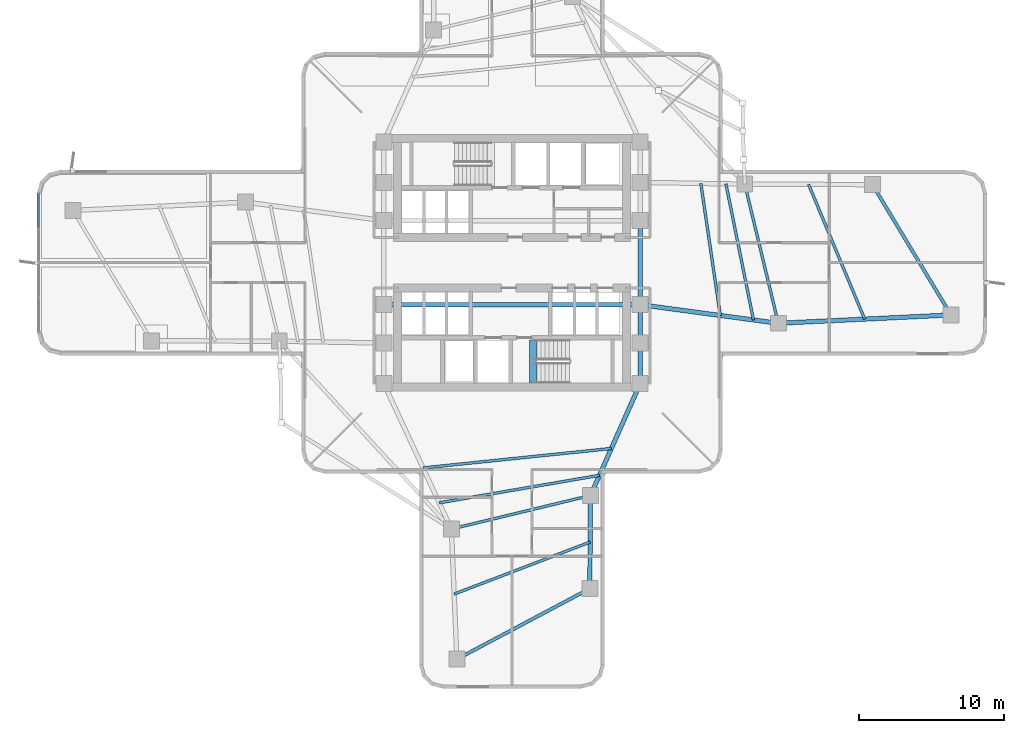
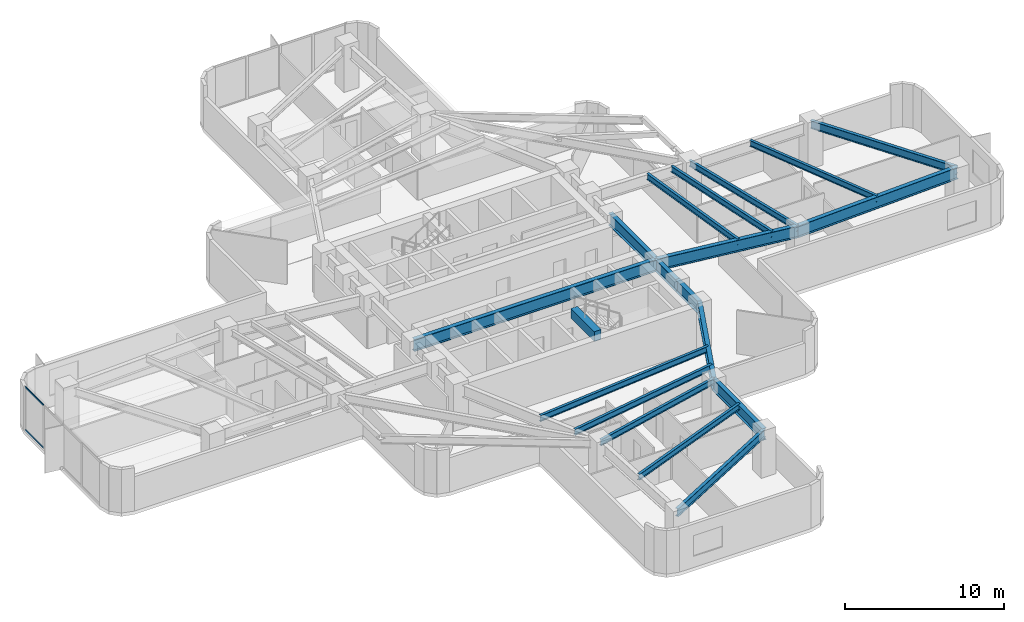
# One storey, part 3 of 14: 19 beams, 2 members, 1 element without a shape of its own.
"""IFC4 building model written with IfcOpenShell, lengths in metres."""

import ifcopenshell
import ifcopenshell.guid

model = None  # the IFC model being written
_history = None  # IfcOwnerHistory: only IFC2X3 demands one
_inside = {}  # id of a spatial element -> (the spatial element, [elements in it])
_under = {}  # id of a project, library or spatial element -> (it, [spatial elements below it])
_declared = {}  # id of a project -> (the project, [libraries it declares])
_typed = {}  # id of a type object -> (the type object, [elements of that type])
_made_of = {}  # id of a material, layer set ... -> (it, [elements and type objects made of it])


def new_model(schema):
    """Start an empty IFC model of exactly this schema.

    Asked for "IFC4X3", IfcOpenShell would pick the latest addendum, in which some entities
    have other attributes; the version numbers below select the first issue.
    IFC2X3 requires an IfcOwnerHistory on every rooted entity: one is made here for all.
    """
    global model, _history
    if schema == "IFC4X3":
        model = ifcopenshell.file(schema_version=(4, 3, 0, 0))
    else:
        model = ifcopenshell.file(schema=schema)
    _inside.clear()
    _under.clear()
    _declared.clear()
    _typed.clear()
    _made_of.clear()
    _history = None
    if model.schema == "IFC2X3":
        org = make("IfcOrganization", Name="unknown")
        user = make(
            "IfcPersonAndOrganization",
            ThePerson=make("IfcPerson", FamilyName="unknown"),
            TheOrganization=org,
        )
        app = make(
            "IfcApplication",
            ApplicationDeveloper=org,
            Version="unknown",
            ApplicationFullName="unknown",
            ApplicationIdentifier="unknown",
        )
        _history = make(
            "IfcOwnerHistory",
            OwningUser=user,
            OwningApplication=app,
            ChangeAction="ADDED",
            CreationDate=0,
        )
    return model


def make(cls, **values):
    """One entity of the class cls with the attributes given. An attribute that is None is left unset."""
    return model.create_entity(
        cls, **{name: value for name, value in values.items() if value is not None}
    )


def rooted(cls, **values):
    """An entity with a GlobalId (a new one), such as an element, a storey or a relation."""
    return make(cls, GlobalId=ifcopenshell.guid.new(), OwnerHistory=_history, **values)


def si_unit(unit_type, name, prefix=None):
    """IfcSIUnit, for example si_unit("LENGTHUNIT", "METRE", prefix="MILLI")."""
    return make("IfcSIUnit", UnitType=unit_type, Prefix=prefix, Name=name)


def assignment(units):
    """IfcUnitAssignment: the units of a project."""
    return None if units is None else make("IfcUnitAssignment", Units=units)


def point(xyz):
    """IfcCartesianPoint."""
    return None if xyz is None else make("IfcCartesianPoint", Coordinates=xyz)


def direction(xyz):
    """IfcDirection."""
    return None if xyz is None else make("IfcDirection", DirectionRatios=xyz)


def frame(location, z_axis=None, x_axis=None):
    """IfcAxis2Placement3D, a coordinate frame: its origin and axes. An axis left out is left unset."""
    return make(
        "IfcAxis2Placement3D",
        Location=point(location),
        Axis=direction(z_axis),
        RefDirection=direction(x_axis),
    )


def frame_2d(location, x_axis=None):
    """IfcAxis2Placement2D, a coordinate frame in the plane: its origin and x axis."""
    return make(
        "IfcAxis2Placement2D", Location=point(location), RefDirection=direction(x_axis)
    )


def origin():
    """The frame at (0, 0, 0) with its axes left unset."""
    return frame((0.0, 0.0, 0.0))


def origin_2d():
    """The frame at (0, 0) in the plane with its x axis left unset."""
    return frame_2d((0.0, 0.0))


def place(relative_to, where):
    """IfcLocalPlacement: puts the frame where relative to a parent placement (None: the world)."""
    return make(
        "IfcLocalPlacement", PlacementRelTo=relative_to, RelativePlacement=where
    )


def context(
    kind, dimensions, precision=None, world=None, true_north=None, identifier=None
):
    """IfcGeometricRepresentationContext, for example the 3D "Model" context."""
    return make(
        "IfcGeometricRepresentationContext",
        ContextIdentifier=identifier,
        ContextType=kind,
        CoordinateSpaceDimension=dimensions,
        Precision=precision,
        WorldCoordinateSystem=world,
        TrueNorth=true_north,
    )


def subcontext(parent, identifier, kind, view, scale=None):
    """IfcGeometricRepresentationSubContext, for example "Body" below "Model"."""
    return make(
        "IfcGeometricRepresentationSubContext",
        ContextIdentifier=identifier,
        ContextType=kind,
        ParentContext=parent,
        TargetScale=scale,
        TargetView=view,
    )


def project(units=None, contexts=None):
    """IfcProject with its units and contexts."""
    return rooted(
        "IfcProject",
        Name="project",
        RepresentationContexts=contexts,
        UnitsInContext=assignment(units),
    )


def spatial(cls, under=None, at=None, **own):
    """A site, building, storey or space (cls), placed at a placement, below another one or the project."""
    s = rooted(cls, ObjectPlacement=at, **own)
    if under is not None:
        _under.setdefault(under.id(), (under, []))[1].append(s)
    return s


def profile(cls, at=None, kind="AREA", **sizes):
    """A parametric profile (cls). Its sizes go by their IFC names, for example OverallWidth=200.0."""
    return make(cls, ProfileType=kind, Position=at, **sizes)


def rectangle(**sizes):
    """IfcRectangleProfileDef."""
    return profile("IfcRectangleProfileDef", **sizes)


def i_section(**sizes):
    """IfcIShapeProfileDef."""
    return profile("IfcIShapeProfileDef", **sizes)


def extrude(swept, where, along, depth):
    """IfcExtrudedAreaSolid: the profile swept, set in the frame where, extruded along a direction by depth."""
    return make(
        "IfcExtrudedAreaSolid",
        SweptArea=swept,
        Position=where,
        ExtrudedDirection=direction(along),
        Depth=depth,
    )


def shape(context_of_items, identifier, shape_type, items):
    """IfcShapeRepresentation: the items that make up one representation, for example the "Body"."""
    return make(
        "IfcShapeRepresentation",
        ContextOfItems=context_of_items,
        RepresentationIdentifier=identifier,
        RepresentationType=shape_type,
        Items=items,
    )


def material(Name=None, Category=None):
    """IfcMaterial."""
    return make("IfcMaterial", Name=Name, Category=Category)


def layer(
    of_material, thickness, ventilated=None, Name=None, Category=None, Priority=None
):
    """IfcMaterialLayer: one layer of a wall or slab, of a material (None: an air gap)."""
    return make(
        "IfcMaterialLayer",
        Material=of_material,
        LayerThickness=thickness,
        IsVentilated=ventilated,
        Name=Name,
        Category=Category,
        Priority=Priority,
    )


def layer_set(layers, Name=None):
    """IfcMaterialLayerSet."""
    return make("IfcMaterialLayerSet", MaterialLayers=layers, LayerSetName=Name)


def material_profile(
    of_material, cross_section, Name=None, Category=None, Priority=None
):
    """IfcMaterialProfile: a cross section and its material."""
    return make(
        "IfcMaterialProfile",
        Name=Name,
        Material=of_material,
        Profile=cross_section,
        Priority=Priority,
        Category=Category,
    )


def profile_set(profiles, Name=None, composite=None):
    """IfcMaterialProfileSet."""
    return make(
        "IfcMaterialProfileSet",
        Name=Name,
        MaterialProfiles=profiles,
        CompositeProfile=composite,
    )


def made_of(thing, what):
    """Note that an element or type object is made of a material, layer set ...; save() writes the relation."""
    if what is not None:
        _made_of.setdefault(what.id(), (what, []))[1].append(thing)
    return thing


def type_object(cls, material=None, **own):
    """A type object (cls), such as IfcWallType, which elements share."""
    return made_of(rooted(cls, **own), material)


def element(
    cls,
    number,
    at=None,
    inside=None,
    cuts=None,
    type_object=None,
    material=None,
    context=None,
    identifier="Body",
    shape_type=None,
    held_by="IfcProductDefinitionShape",
    body=None,
    shapes=None,
    **own,
):
    """One element of the class cls, such as IfcWall. Its Tag is "e" and its number.

    at: its placement. inside: the storey or other place that contains it. cuts: it is an
    opening in that element (IfcRelVoidsElement). A single representation is given by context,
    identifier, shape_type and body (its items); several are given by shapes. held_by: the class
    of the entity that holds the representations. save() writes the other relations.
    """
    e = rooted(cls, Tag="e%d" % number, ObjectPlacement=at, **own)
    if body is not None:
        shapes = [shape(context, identifier, shape_type, body)]
    if shapes is not None:
        e.Representation = make(held_by, Representations=shapes)
    if inside is not None:
        _inside.setdefault(inside.id(), (inside, []))[1].append(e)
    if cuts is not None:
        rooted(
            "IfcRelVoidsElement", RelatingBuildingElement=cuts, RelatedOpeningElement=e
        )
    if type_object is not None:
        _typed.setdefault(type_object.id(), (type_object, []))[1].append(e)
    return made_of(e, material)


def aggregate(whole, parts):
    """IfcRelAggregates: a whole, such as a stair, and the parts it consists of."""
    return rooted("IfcRelAggregates", RelatingObject=whole, RelatedObjects=parts)


def save(model, path):
    """Write the relations noted so far, then the file.

    IfcRelAggregates (storeys below a building ...), IfcRelContainedInSpatialStructure (elements
    in a storey), IfcRelDefinesByType, IfcRelAssociatesMaterial and IfcRelDeclares: one each for
    every whole, place, type object, material and project.
    """
    for whole, parts in _under.values():
        aggregate(whole, parts)
    for where, things in _inside.values():
        rooted(
            "IfcRelContainedInSpatialStructure",
            RelatedElements=things,
            RelatingStructure=where,
        )
    for kind, things in _typed.values():
        rooted("IfcRelDefinesByType", RelatedObjects=things, RelatingType=kind)
    for what, things in _made_of.values():
        rooted("IfcRelAssociatesMaterial", RelatedObjects=things, RelatingMaterial=what)
    for by, libraries in _declared.values():
        rooted("IfcRelDeclares", RelatingContext=by, RelatedDefinitions=libraries)
    model.write(path)


model = new_model("IFC4")

# Units and contexts
model_context = context("Model", 3, precision=1e-05, world=origin(), true_north=direction((0.0, 1.0)))
body_context = subcontext(model_context, "Body", "Model", "MODEL_VIEW")
ifc_project = project(units=[si_unit("LENGTHUNIT", "METRE"), si_unit("AREAUNIT", "SQUARE_METRE"), si_unit("VOLUMEUNIT", "CUBIC_METRE"), si_unit("PLANEANGLEUNIT", "RADIAN"), si_unit("MASSUNIT", "GRAM", prefix="KILO")], contexts=[model_context])

# Site, building, storey
site_placement = place(None, origin())
site = spatial("IfcSite", under=ifc_project, at=site_placement, CompositionType="ELEMENT")
building_placement = place(site_placement, origin())
building = spatial("IfcBuilding", under=site, at=building_placement, Name="Solmarez Civic Tower", CompositionType="ELEMENT")
storey_placement = place(building_placement, frame((0.0, 0.0, 31.679931640625)))
storey = spatial("IfcBuildingStorey", under=building, at=storey_placement, Name="L07", CompositionType="ELEMENT", Elevation=31.679931640625)

# Beams
ifc_material_1 = material(Name="Steel S355", Category="steel")
ifc_material_profile_1 = material_profile(ifc_material_1, i_section(OverallWidth=0.19189453125, OverallDepth=0.462890625, WebThickness=0.010498046875, FlangeThickness=0.017578125, at=origin_2d()), Name="W18X60")
ifc_profile_set_1 = profile_set([ifc_material_profile_1], Name="Steel S355")
beam_type_1 = type_object("IfcBeamType", Name="BM-JS-W18X60", PredefinedType="JOIST", material=ifc_profile_set_1)
beam_1_placement = place(storey_placement, frame((18.39111328125, -4.18408203125, 3.109130859375), z_axis=(-0.234328919867, 0.97215737271, 0.0), x_axis=(-0.97215737271, -0.234328919867, 0.0)))
element("IfcBeam", 1, at=beam_1_placement, inside=storey, type_object=beam_type_1, Name="L07 Secondary Floor Joist BM-L07-EA-T1", PredefinedType="JOIST", context=body_context, shape_type="SweptSolid", body=[
    extrude(i_section(OverallWidth=0.19189453125, OverallDepth=0.462890625, WebThickness=0.010498046875, FlangeThickness=0.017578125, at=origin_2d()), origin(), (0.0, 0.0, 1.0), 9.880126953125),
])
beam_2_placement = place(storey_placement, frame((24.35498046875, -3.89697265625, 3.109130859375), z_axis=(-0.384310898391, 0.923203733408, 0.0), x_axis=(-0.923203733408, -0.384310898391, 0.0)))
element("IfcBeam", 2, at=beam_2_placement, inside=storey, type_object=beam_type_1, Name="L07 Secondary Floor Joist JS-L07-EA-M2", PredefinedType="JOIST", context=body_context, shape_type="SweptSolid", body=[
    extrude(i_section(OverallWidth=0.19189453125, OverallDepth=0.462890625, WebThickness=0.010498046875, FlangeThickness=0.017578125, at=origin_2d()), origin(), (0.0, 0.0, 1.0), 10.077880859375),
])
beam_3_placement = place(storey_placement, frame((14.384033203125, -3.64501953125, 3.109130859375), z_axis=(-0.145687649447, 0.989330636743, 0.0), x_axis=(-0.989330636743, -0.145687649447, 0.0)))
element("IfcBeam", 3, at=beam_3_placement, inside=storey, type_object=beam_type_1, Name="L07 Secondary Floor Joist JS-L07-EA-M11", PredefinedType="JOIST", context=body_context, shape_type="SweptSolid", body=[
    extrude(i_section(OverallWidth=0.19189453125, OverallDepth=0.462890625, WebThickness=0.010498046875, FlangeThickness=0.017578125, at=origin_2d()), origin(), (0.0, 0.0, 1.0), 9.218505859375),
])
beam_4_placement = place(storey_placement, frame((16.674072265625, -3.952880859375, 3.109130859375), z_axis=(-0.198099134772, 0.980181989634, 0.0), x_axis=(-0.980181989634, -0.198099134772, 0.0)))
element("IfcBeam", 4, at=beam_4_placement, inside=storey, type_object=beam_type_1, Name="L07 Secondary Floor Joist JS-L07-EA-M12", PredefinedType="JOIST", context=body_context, shape_type="SweptSolid", body=[
    extrude(i_section(OverallWidth=0.19189453125, OverallDepth=0.462890625, WebThickness=0.010498046875, FlangeThickness=0.017578125, at=origin_2d()), origin(), (0.0, 0.0, 1.0), 9.5869140625),
])
beam_5_placement = place(storey_placement, frame((-4.18408203125, -18.39111328125, 3.109130859375), z_axis=(0.97215737271, 0.234328919867, 0.0), x_axis=(-0.234328919867, 0.97215737271, 0.0)))
element("IfcBeam", 5, at=beam_5_placement, inside=storey, type_object=beam_type_1, Name="L07 Secondary Floor Joist BM-L07-SA-T1", PredefinedType="JOIST", context=body_context, shape_type="SweptSolid", body=[
    extrude(i_section(OverallWidth=0.19189453125, OverallDepth=0.462890625, WebThickness=0.010498046875, FlangeThickness=0.017578125, at=origin_2d()), origin(), (0.0, 0.0, 1.0), 9.880126953125),
])
beam_6_placement = place(storey_placement, frame((-3.9951171875, -22.886962890625, 3.109130859375), z_axis=(0.933878315551, 0.357590955903, 0.0), x_axis=(-0.357590955903, 0.933878315551, 0.0)))
element("IfcBeam", 6, at=beam_6_placement, inside=storey, type_object=beam_type_1, Name="L07 Secondary Floor Joist JS-L07-SA-M2", PredefinedType="JOIST", context=body_context, shape_type="SweptSolid", body=[
    extrude(i_section(OverallWidth=0.19189453125, OverallDepth=0.462890625, WebThickness=0.010498046875, FlangeThickness=0.017578125, at=origin_2d()), origin(), (0.0, 0.0, 1.0), 10.05615234375),
])
beam_7_placement = place(storey_placement, frame((-6.14404296875, -14.174072265625, 3.109130859375), z_axis=(0.9947100999, 0.102722038325, 0.0), x_axis=(-0.102722038325, 0.9947100999, 0.0)))
element("IfcBeam", 7, at=beam_7_placement, inside=storey, type_object=beam_type_1, Name="L07 Secondary Floor Joist JS-L07-SA-M11", PredefinedType="JOIST", context=body_context, shape_type="SweptSolid", body=[
    extrude(i_section(OverallWidth=0.19189453125, OverallDepth=0.462890625, WebThickness=0.010498046875, FlangeThickness=0.017578125, at=origin_2d()), origin(), (0.0, 0.0, 1.0), 13.07421875),
])
beam_8_placement = place(storey_placement, frame((-5.02392578125, -16.583984375, 3.109130859375), z_axis=(0.985583934907, 0.169187195889, 0.0), x_axis=(-0.169187195889, 0.985583934907, 0.0)))
element("IfcBeam", 8, at=beam_8_placement, inside=storey, type_object=beam_type_1, Name="L07 Secondary Floor Joist JS-L07-SA-M12", PredefinedType="JOIST", context=body_context, shape_type="SweptSolid", body=[
    extrude(i_section(OverallWidth=0.19189453125, OverallDepth=0.462890625, WebThickness=0.010498046875, FlangeThickness=0.017578125, at=origin_2d()), origin(), (0.0, 0.0, 1.0), 11.223876953125),
])
ifc_material_2 = material(Name="Concrete C50/60", Category="concrete")
ifc_material_profile_2 = material_profile(ifc_material_2, rectangle(XDim=0.5, YDim=0.75, at=origin_2d()), Name="RC500X750")
ifc_profile_set_2 = profile_set([ifc_material_profile_2], Name="Concrete C50/60")
beam_type_2 = type_object("IfcBeamType", Name="BM-PR-RC500X750", PredefinedType="BEAM", material=ifc_profile_set_2)
beam_9_placement = place(storey_placement, frame((1.449951171875, -8.300048828125, 3.233154296875), z_axis=(0.0, 1.0, 0.0), x_axis=(-1.0, 0.0, 0.0)))
element("IfcBeam", 9, at=beam_9_placement, inside=storey, type_object=beam_type_2, Name="L07 South Stair Threshold Beam", PredefinedType="BEAM", context=body_context, shape_type="SweptSolid", body=[
    extrude(rectangle(XDim=0.5, YDim=0.75, at=origin_2d()), origin(), (0.0, 0.0, 1.0), 2.9599609375),
])
ifc_material_profile_3 = material_profile(ifc_material_1, i_section(OverallWidth=0.303955078125, OverallDepth=0.910888671875, WebThickness=0.015869140625, FlangeThickness=0.02392578125, at=origin_2d()), Name="W36X150")
ifc_profile_set_3 = profile_set([ifc_material_profile_3], Name="Steel S355")
beam_type_3 = type_object("IfcBeamType", Name="BM-PR-W36X150", PredefinedType="BEAM", material=ifc_profile_set_3)
beam_10_placement = place(storey_placement, frame((8.85009765625, -2.89990234375, 2.885009765625), z_axis=(0.991063240718, -0.133392851745, 0.0), x_axis=(0.133392851745, 0.991063240718, 0.0)))
element("IfcBeam", 10, at=beam_10_placement, inside=storey, type_object=beam_type_3, Name="L07 Primary Floor Beam BM-L07-EA-R1A", PredefinedType="BEAM", context=body_context, shape_type="SweptSolid", body=[
    extrude(i_section(OverallWidth=0.303955078125, OverallDepth=0.910888671875, WebThickness=0.015869140625, FlangeThickness=0.02392578125, at=origin_2d()), origin(), (0.0, 0.0, 1.0), 9.626953125),
])
beam_11_placement = place(storey_placement, frame((18.39111328125, -4.18408203125, 2.885009765625), z_axis=(0.998839135977, 0.048170327398, 0.0), x_axis=(-0.048170327398, 0.998839135977, 0.0)))
element("IfcBeam", 11, at=beam_11_placement, inside=storey, type_object=beam_type_3, Name="L07 Primary Floor Beam BM-L07-EA-R2A", PredefinedType="BEAM", context=body_context, shape_type="SweptSolid", body=[
    extrude(i_section(OverallWidth=0.303955078125, OverallDepth=0.910888671875, WebThickness=0.015869140625, FlangeThickness=0.02392578125, at=origin_2d()), origin(), (0.0, 0.0, 1.0), 11.94091796875),
])
beam_12_placement = place(storey_placement, frame((8.85009765625, -8.35009765625, 2.885009765625), z_axis=(-0.405693556952, -0.914009156326, 0.0), x_axis=(0.914009156326, -0.405693556952, 0.0)))
element("IfcBeam", 12, at=beam_12_placement, inside=storey, type_object=beam_type_3, Name="L07 Primary Floor Beam BM-L07-SA-R1B", PredefinedType="BEAM", context=body_context, shape_type="SweptSolid", body=[
    extrude(i_section(OverallWidth=0.303955078125, OverallDepth=0.910888671875, WebThickness=0.015869140625, FlangeThickness=0.02392578125, at=origin_2d()), origin(), (0.0, 0.0, 1.0), 8.45263671875),
])
beam_13_placement = place(storey_placement, frame((5.4208984375, -16.075927734375, 2.885009765625), z_axis=(-0.007592219108, -0.999971178689, 0.0), x_axis=(0.999971178689, -0.007592219108, 0.0)))
element("IfcBeam", 13, at=beam_13_placement, inside=storey, type_object=beam_type_3, Name="L07 Primary Floor Beam BM-L07-SA-R2B", PredefinedType="BEAM", context=body_context, shape_type="SweptSolid", body=[
    extrude(i_section(OverallWidth=0.303955078125, OverallDepth=0.910888671875, WebThickness=0.015869140625, FlangeThickness=0.02392578125, at=origin_2d()), origin(), (0.0, 0.0, 1.0), 6.431396484375),
])
ifc_material_profile_4 = material_profile(ifc_material_1, i_section(OverallWidth=0.306884765625, OverallDepth=0.927001953125, WebThickness=0.019287109375, FlangeThickness=0.031982421875, at=origin_2d()), Name="W36X194")
ifc_profile_set_4 = profile_set([ifc_material_profile_4], Name="Steel S355")
beam_type_4 = type_object("IfcBeamType", Name="BM-PR-W36X194", PredefinedType="BEAM", material=ifc_profile_set_4)
beam_14_placement = place(storey_placement, frame((8.85009765625, -8.35009765625, 2.8759765625), z_axis=(0.0, 1.0, 0.0), x_axis=(-1.0, 0.0, 0.0)))
element("IfcBeam", 14, at=beam_14_placement, inside=storey, type_object=beam_type_4, Name="L07 Primary Floor Beam BM-L07-HC10-HC5", PredefinedType="BEAM", context=body_context, shape_type="SweptSolid", body=[
    extrude(i_section(OverallWidth=0.306884765625, OverallDepth=0.927001953125, WebThickness=0.019287109375, FlangeThickness=0.031982421875, at=origin_2d()), origin(), (0.0, 0.0, 1.0), 2.800048828125),
])
beam_15_placement = place(storey_placement, frame((8.85009765625, -5.550048828125, 2.8759765625), z_axis=(0.0, 1.0, 0.0), x_axis=(-1.0, 0.0, 0.0)))
element("IfcBeam", 15, at=beam_15_placement, inside=storey, type_object=beam_type_4, Name="L07 Primary Floor Beam BM-L07-HC5-HC6", PredefinedType="BEAM", context=body_context, shape_type="SweptSolid", body=[
    extrude(i_section(OverallWidth=0.306884765625, OverallDepth=0.927001953125, WebThickness=0.019287109375, FlangeThickness=0.031982421875, at=origin_2d()), origin(), (0.0, 0.0, 1.0), 2.650146484375),
])
beam_16_placement = place(storey_placement, frame((8.85009765625, -2.89990234375, 2.8759765625), z_axis=(0.0, 1.0, 0.0), x_axis=(-1.0, 0.0, 0.0)))
element("IfcBeam", 16, at=beam_16_placement, inside=storey, type_object=beam_type_4, Name="L07 Primary Floor Beam BM-L07-HC6-HC7", PredefinedType="BEAM", context=body_context, shape_type="SweptSolid", body=[
    extrude(i_section(OverallWidth=0.306884765625, OverallDepth=0.927001953125, WebThickness=0.019287109375, FlangeThickness=0.031982421875, at=origin_2d()), origin(), (0.0, 0.0, 1.0), 5.7998046875),
])
beam_17_placement = place(storey_placement, frame((-8.85009765625, -2.89990234375, 2.8759765625), z_axis=(1.0, 0.0, 0.0), x_axis=(0.0, 1.0, 0.0)))
element("IfcBeam", 17, at=beam_17_placement, inside=storey, type_object=beam_type_4, Name="L07 Primary Floor Beam BM-L07-HC2-HC6", PredefinedType="BEAM", context=body_context, shape_type="SweptSolid", body=[
    extrude(i_section(OverallWidth=0.306884765625, OverallDepth=0.927001953125, WebThickness=0.019287109375, FlangeThickness=0.031982421875, at=origin_2d()), origin(), (0.0, 0.0, 1.0), 17.7001953125),
])
ifc_material_profile_5 = material_profile(ifc_material_1, i_section(OverallWidth=0.22900390625, OverallDepth=0.612060546875, WebThickness=0.011962890625, FlangeThickness=0.01953125, at=origin_2d()), Name="W24X84")
ifc_profile_set_5 = profile_set([ifc_material_profile_5], Name="Steel S355")
beam_type_5 = type_object("IfcBeamType", Name="BM-SP-W24X84", PredefinedType="SPANDREL", material=ifc_profile_set_5)
beam_18_placement = place(storey_placement, frame((30.318115234375, -3.60888671875, 3.0341796875), z_axis=(-0.516522901024, 0.856273374991, 0.0), x_axis=(-0.856273374991, -0.516522901024, 0.0)))
element("IfcBeam", 18, at=beam_18_placement, inside=storey, type_object=beam_type_5, Name="L07 Perimeter Spandrel Beam BM-L07-EA-T2", PredefinedType="SPANDREL", context=body_context, shape_type="SweptSolid", body=[
    extrude(i_section(OverallWidth=0.22900390625, OverallDepth=0.612060546875, WebThickness=0.011962890625, FlangeThickness=0.01953125, at=origin_2d()), origin(), (0.0, 0.0, 1.0), 10.512939453125),
])
beam_19_placement = place(storey_placement, frame((-3.806884765625, -27.383056640625, 3.0341796875), z_axis=(0.883129404808, 0.469129464394, 0.0), x_axis=(-0.469129464394, 0.883129404808, 0.0)))
element("IfcBeam", 19, at=beam_19_placement, inside=storey, type_object=beam_type_5, Name="L07 Perimeter Spandrel Beam BM-L07-SA-T2", PredefinedType="SPANDREL", context=body_context, shape_type="SweptSolid", body=[
    extrude(i_section(OverallWidth=0.22900390625, OverallDepth=0.612060546875, WebThickness=0.011962890625, FlangeThickness=0.01953125, at=origin_2d()), origin(), (0.0, 0.0, 1.0), 10.3935546875),
])

# Curtain wall, members
ifc_material_3 = material(Name="Bronze Anodised Aluminium EN AW-6063 T6", Category="aluminium")
ifc_layer = layer(ifc_material_3, 0.18505859375)
ifc_layer_set = layer_set([ifc_layer], Name="Bronze Anodised Aluminium EN AW-6063 T6")
curtain_wall_type = type_object("IfcCurtainWallType", Name="CW-SYS-2", PredefinedType="NOTDEFINED", material=ifc_layer_set)
curtain_wall_placement = place(storey_placement, origin())
curtain_wall = element("IfcCurtainWall", 20, at=curtain_wall_placement, inside=storey, type_object=curtain_wall_type, Name="L07 Stick-Built Curtain Wall 1", PredefinedType="NOTDEFINED")
ifc_material_profile_6 = material_profile(ifc_material_3, rectangle(XDim=0.06494140625, YDim=0.125, at=origin_2d()), Name="CWT-65X125")
ifc_profile_set_6 = profile_set([ifc_material_profile_6], Name="Bronze Anodised Aluminium EN AW-6063 T6")
member_type = type_object("IfcMemberType", Name="CWT-TYPE-2", PredefinedType="USERDEFINED", material=ifc_profile_set_6)
member_1_placement = place(storey_placement, frame((-32.679931640625, 2.439453125, 0.032470703125), z_axis=(0.0, 1.0, 0.0), x_axis=(-1.0, 0.0, 0.0)))
member_1 = element("IfcMember", 21, at=member_1_placement, type_object=member_type, Name="CWS2 transom 4.1", ObjectType="TRANSOM", PredefinedType="USERDEFINED", context=body_context, shape_type="SweptSolid", body=[
    extrude(rectangle(XDim=0.06494140625, YDim=0.125, at=origin_2d()), origin(), (0.0, 0.0, 1.0), 2.299560546875),
])
member_2_placement = place(storey_placement, frame((-32.679931640625, 2.439453125, 3.3076171875), z_axis=(0.0, 1.0, 0.0), x_axis=(-1.0, 0.0, 0.0)))
member_2 = element("IfcMember", 22, at=member_2_placement, type_object=member_type, Name="CWS2 transom 4.2", ObjectType="TRANSOM", PredefinedType="USERDEFINED", context=body_context, shape_type="SweptSolid", body=[
    extrude(rectangle(XDim=0.06494140625, YDim=0.125, at=origin_2d()), origin(), (0.0, 0.0, 1.0), 2.299560546875),
])
aggregate(curtain_wall, [member_1, member_2])

save(model, "model.ifc")
